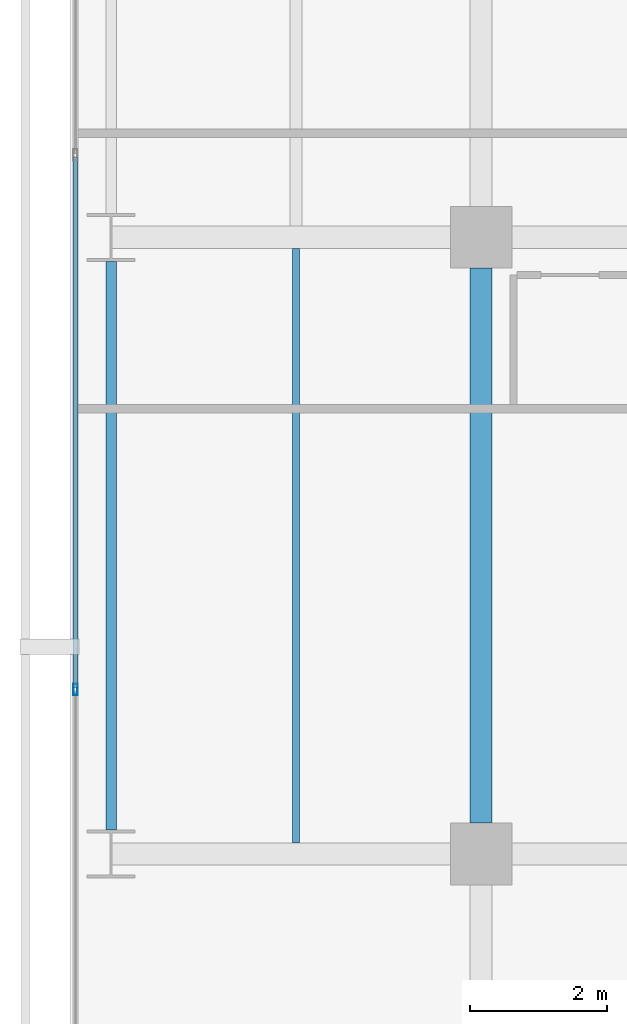
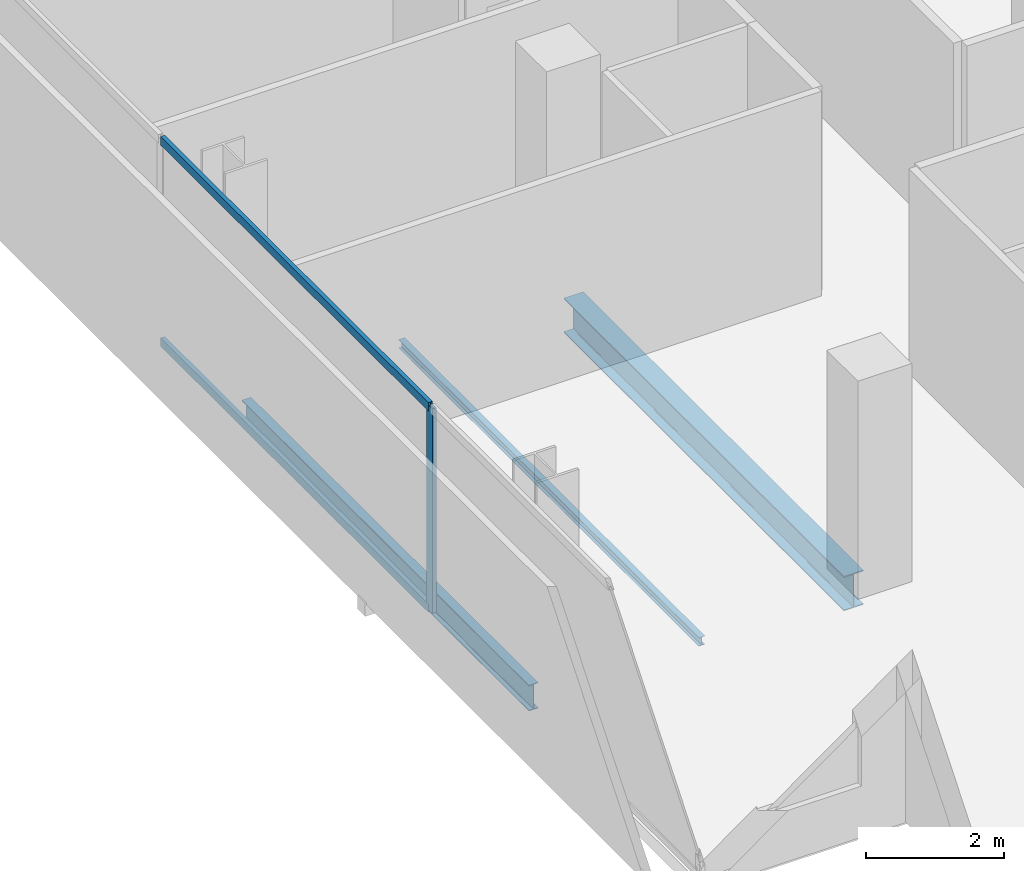
# One storey, part 5 of 40: 3 beams, 3 members, 1 element without a shape of its own.
"""IFC4 building model written with IfcOpenShell, lengths in metres."""

from ifc_helpers import new_model, si_unit, direction, frame, origin, origin_2d, place, context, subcontext, project, spatial, hollow_rectangle, i_section, extrude, material, layer, layer_set, material_profile, profile_set, type_object, element, aggregate, save


model = new_model("IFC4")

# Units and contexts
model_context = context("Model", 3, precision=1e-05, world=origin(), true_north=direction((0.0, 1.0)))
body_context = subcontext(model_context, "Body", "Model", "MODEL_VIEW")
ifc_project = project(units=[si_unit("LENGTHUNIT", "METRE"), si_unit("AREAUNIT", "SQUARE_METRE"), si_unit("VOLUMEUNIT", "CUBIC_METRE"), si_unit("PLANEANGLEUNIT", "RADIAN"), si_unit("MASSUNIT", "GRAM", prefix="KILO")], contexts=[model_context])

# Site, building, storey
site_placement = place(None, origin())
site = spatial("IfcSite", under=ifc_project, at=site_placement, CompositionType="ELEMENT")
building_placement = place(site_placement, origin())
building = spatial("IfcBuilding", under=site, at=building_placement, Name="Maruvema Waterfront Hotel and Observation Tower", CompositionType="ELEMENT")
storey_placement = place(building_placement, frame((0.0, 0.0, 77.0)))
storey = spatial("IfcBuildingStorey", under=building, at=storey_placement, Name="L18", CompositionType="ELEMENT", Elevation=77.0)

# Curtain wall, members
ifc_material_1 = material(Name="Anodised bronze aluminium and solar-control low-E IGU", Category="aluminium")
ifc_layer = layer(ifc_material_1, 0.159912109375, Name="Zone 1 Bronze Inner Thermal Curtain Wall System CW-02")
ifc_layer_set = layer_set([ifc_layer], Name="Anodised bronze aluminium and solar-control low-E IGU")
curtain_wall_type = type_object("IfcCurtainWallType", Name="Zone 1 Bronze Inner Thermal Curtain Wall System CW-02", PredefinedType="USERDEFINED", material=ifc_layer_set)
curtain_wall_placement = place(storey_placement, origin())
curtain_wall = element("IfcCurtainWall", 1, at=curtain_wall_placement, inside=storey, type_object=curtain_wall_type, Name="L18 Curtain Wall CW-L18-W", ObjectType="UNITISED CURTAIN WALL", PredefinedType="USERDEFINED")
ifc_material_2 = material(Name="Anodised architectural bronze aluminium", Category="aluminium")
ifc_material_profile_1 = material_profile(ifc_material_2, hollow_rectangle(XDim=0.070068359375, YDim=0.14990234375, WallThickness=0.00390625, at=origin_2d()), Name="ALU-T70x150")
ifc_profile_set_1 = profile_set([ifc_material_profile_1], Name="Anodised architectural bronze aluminium")
member_type_1 = type_object("IfcMemberType", Name="Curtain Wall Horizontal Transom ALU-T70x150", PredefinedType="USERDEFINED", material=ifc_profile_set_1)
member_1_placement = place(storey_placement, frame((10.8798828125, 19.169921875, 0.030029296875), z_axis=(0.0, -1.0, 0.0), x_axis=(1.0, 0.0, 0.0)))
member_1 = element("IfcMember", 2, at=member_1_placement, type_object=member_type_1, Name="CW-02 transom 5.1", ObjectType="TRANSOM", PredefinedType="USERDEFINED", context=body_context, shape_type="SweptSolid", body=[
    extrude(hollow_rectangle(XDim=0.070068359375, YDim=0.14990234375, WallThickness=0.00390625, at=origin_2d()), origin(), (0.0, 0.0, 1.0), 7.739990234375),
])
member_2_placement = place(storey_placement, frame((10.8798828125, 19.169921875, 3.580078125), z_axis=(0.0, -1.0, 0.0), x_axis=(1.0, 0.0, 0.0)))
member_2 = element("IfcMember", 3, at=member_2_placement, type_object=member_type_1, Name="CW-02 transom 5.2", ObjectType="TRANSOM", PredefinedType="USERDEFINED", context=body_context, shape_type="SweptSolid", body=[
    extrude(hollow_rectangle(XDim=0.070068359375, YDim=0.14990234375, WallThickness=0.00390625, at=origin_2d()), origin(), (0.0, 0.0, 1.0), 7.739990234375),
])
ifc_material_3 = material(Name="Anodised architectural bronze aluminium", Category="aluminium")
ifc_material_profile_2 = material_profile(ifc_material_3, hollow_rectangle(XDim=0.06494140625, YDim=0.1650390625, WallThickness=0.00390625, at=origin_2d()), Name="ALU-M65x165")
ifc_profile_set_2 = profile_set([ifc_material_profile_2], Name="Anodised architectural bronze aluminium")
member_type_2 = type_object("IfcMemberType", Name="Curtain Wall Primary Mullion ALU-M65x165", PredefinedType="MULLION", material=ifc_profile_set_2)
member_3_placement = place(storey_placement, frame((10.8798828125, 11.39990234375, 0.0), z_axis=(0.0, 0.0, 1.0), x_axis=(1.0, 0.0, 0.0)))
member_3 = element("IfcMember", 4, at=member_3_placement, type_object=member_type_2, Name="CW-02 mullion 6", PredefinedType="MULLION", context=body_context, shape_type="SweptSolid", body=[
    extrude(hollow_rectangle(XDim=0.06494140625, YDim=0.1650390625, WallThickness=0.00390625, at=origin_2d()), origin(), (0.0, 0.0, 1.0), 3.610107421875),
])
aggregate(curtain_wall, [member_3, member_1, member_2])

# Beams
ifc_material_4 = material(Name="Steel ASTM A572 Grade 50", Category="steel")
ifc_material_profile_3 = material_profile(ifc_material_4, i_section(OverallWidth=0.153076171875, OverallDepth=0.455078125, WebThickness=0.008056640625, FlangeThickness=0.01318359375, FilletRadius=0.014892578125, at=origin_2d()), Name="W460x60.0")
ifc_profile_set_3 = profile_set([ifc_material_profile_3], Name="Steel ASTM A572 Grade 50")
beam_type_1 = type_object("IfcBeamType", Name="Perimeter Spandrel Beam W460x60.0", PredefinedType="SPANDREL", material=ifc_profile_set_3)
beam_1_placement = place(storey_placement, frame((11.39990234375, 9.35009765625, -0.467529296875), z_axis=(0.0, 1.0, 0.0), x_axis=(-1.0, 0.0, 0.0)))
element("IfcBeam", 5, at=beam_1_placement, inside=storey, type_object=beam_type_1, Name="L18 Floor Girder NS-01", PredefinedType="SPANDREL", context=body_context, shape_type="SweptSolid", body=[
    extrude(i_section(OverallWidth=0.153076171875, OverallDepth=0.455078125, WebThickness=0.008056640625, FlangeThickness=0.01318359375, FilletRadius=0.014892578125, at=origin_2d()), origin(), (0.0, 0.0, 1.0), 8.2998046875),
])
ifc_material_5 = material(Name="Steel ASTM A572 Grade 50", Category="steel")
ifc_material_profile_4 = material_profile(ifc_material_5, i_section(OverallWidth=0.323974609375, OverallDepth=0.611083984375, WebThickness=0.0126953125, FlangeThickness=0.01904296875, FilletRadius=0.01806640625, at=origin_2d()), Name="W610x155.0")
ifc_profile_set_4 = profile_set([ifc_material_profile_4], Name="Steel ASTM A572 Grade 50")
beam_type_2 = type_object("IfcBeamType", Name="Primary Floor Girder W610x155.0", PredefinedType="BEAM", material=ifc_profile_set_4)
beam_2_placement = place(storey_placement, frame((16.800048828125, 9.449951171875, -0.54541015625), z_axis=(0.0, 1.0, 0.0), x_axis=(-1.0, 0.0, 0.0)))
element("IfcBeam", 6, at=beam_2_placement, inside=storey, type_object=beam_type_2, Name="L18 Floor Girder NS-06", PredefinedType="BEAM", context=body_context, shape_type="SweptSolid", body=[
    extrude(i_section(OverallWidth=0.323974609375, OverallDepth=0.611083984375, WebThickness=0.0126953125, FlangeThickness=0.01904296875, FilletRadius=0.01806640625, at=origin_2d()), origin(), (0.0, 0.0, 1.0), 8.10009765625),
])
ifc_material_6 = material(Name="Steel ASTM A572 Grade 50", Category="steel")
ifc_material_profile_5 = material_profile(ifc_material_6, i_section(OverallWidth=0.10009765625, OverallDepth=0.153076171875, WebThickness=0.005859375, FlangeThickness=0.007080078125, FilletRadius=0.008056640625, at=origin_2d()), Name="W150x18.0")
ifc_profile_set_5 = profile_set([ifc_material_profile_5], Name="Steel ASTM A572 Grade 50")
beam_type_3 = type_object("IfcBeamType", Name="Secondary Floor Joist W150x18.0", PredefinedType="JOIST", material=ifc_profile_set_5)
beam_3_placement = place(storey_placement, frame((14.10009765625, 9.162109375, -0.31640625), z_axis=(0.0, 1.0, 0.0), x_axis=(-1.0, 0.0, 0.0)))
element("IfcBeam", 7, at=beam_3_placement, inside=storey, type_object=beam_type_3, Name="L18 Secondary Floor Joist JS-01", PredefinedType="JOIST", context=body_context, shape_type="SweptSolid", body=[
    extrude(i_section(OverallWidth=0.10009765625, OverallDepth=0.153076171875, WebThickness=0.005859375, FlangeThickness=0.007080078125, FilletRadius=0.008056640625, at=origin_2d()), origin(), (0.0, 0.0, 1.0), 8.67578125),
])

save(model, "model.ifc")
